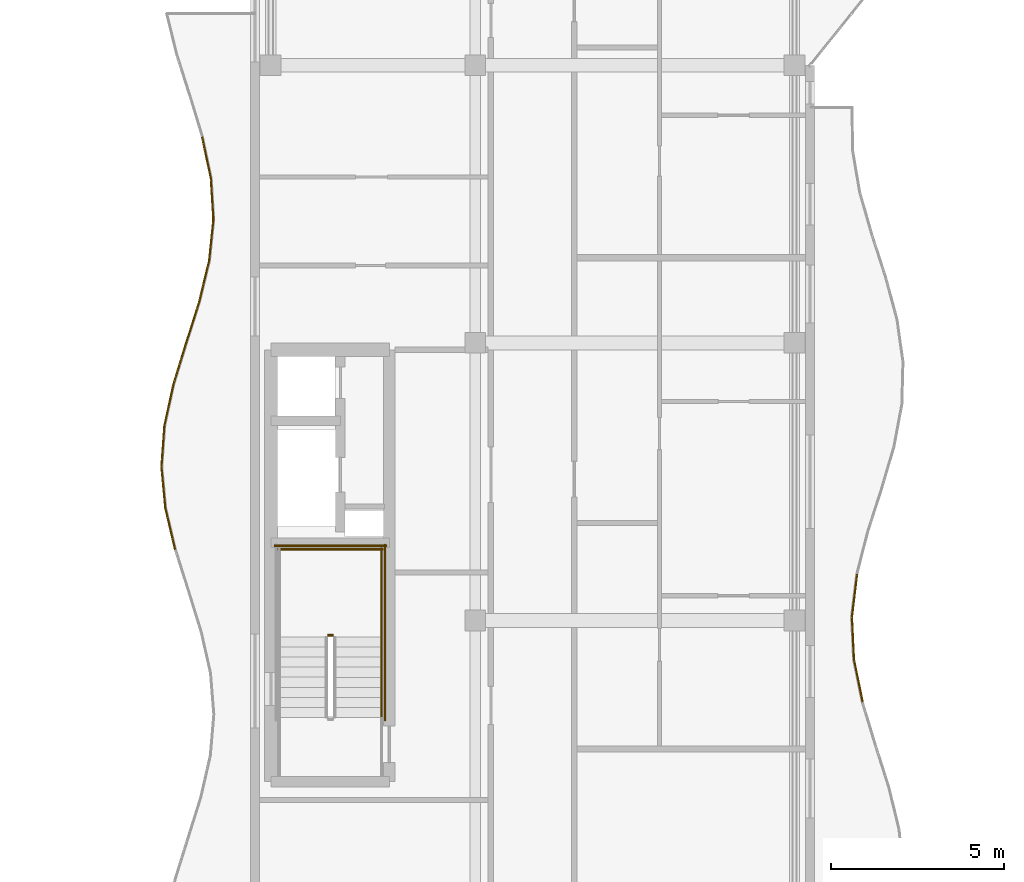
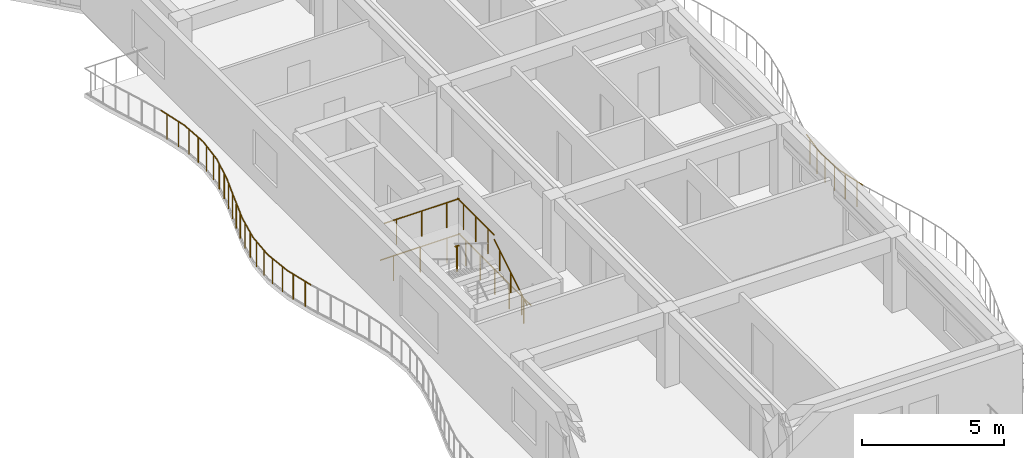
# One storey, part 52 of 72: 19 railings.
"""IFC4 building model written with IfcOpenShell, lengths in metres."""

from ifc_helpers import new_model, si_unit, direction, frame, origin, origin_2d, place, context, subcontext, project, spatial, circle, extrude, material, type_object, element, save


model = new_model("IFC4")

# Units and contexts
model_context = context("Model", 3, precision=1e-05, world=origin(), true_north=direction((0.0, 1.0)))
body_context = subcontext(model_context, "Body", "Model", "MODEL_VIEW")
ifc_project = project(units=[si_unit("LENGTHUNIT", "METRE"), si_unit("AREAUNIT", "SQUARE_METRE"), si_unit("VOLUMEUNIT", "CUBIC_METRE"), si_unit("PLANEANGLEUNIT", "RADIAN"), si_unit("MASSUNIT", "GRAM", prefix="KILO")], contexts=[model_context])

# Site, building, storey
site_placement = place(None, origin())
site = spatial("IfcSite", under=ifc_project, at=site_placement, CompositionType="ELEMENT")
building_placement = place(site_placement, origin())
building = spatial("IfcBuilding", under=site, at=building_placement, Name="Keldmere Railside Commons", CompositionType="ELEMENT")
storey_placement = place(building_placement, frame((0.0, 0.0, 16.9599609375)))
storey = spatial("IfcBuildingStorey", under=building, at=storey_placement, Name="L05", CompositionType="ELEMENT", Elevation=16.9599609375)

# Railings
ifc_material = material(Name="Steel F-24 (S235)", Category="steel")
railing_type_1 = type_object("IfcRailingType", Name="Balcony & Terrace Steel Balustrade 1100", PredefinedType="BALUSTRADE", material=ifc_material)
railing_1_placement = place(storey_placement, frame((65.513916015625, 69.64990234375, 0.0)))
element("IfcRailing", 1, at=railing_1_placement, inside=storey, type_object=railing_type_1, Name="GR-1 GRD-L05-1352", PredefinedType="BALUSTRADE", context=body_context, shape_type="SweptSolid", body=[
    extrude(circle(Radius=0.02392578125, at=origin_2d()), frame((0.0, 0.0, 1.076171875), z_axis=(-0.199944709826, 0.979807181548, 0.0), x_axis=(-0.979807181548, -0.199944709826, 0.0)), (0.0, 0.0, 1.0), 1.250244140625),
    extrude(circle(Radius=0.02099609375, at=origin_2d()), frame((-0.0625, 0.30615234375, 0.0)), (0.0, 0.0, 1.0), 1.048095703125),
    extrude(circle(Radius=0.02099609375, at=origin_2d()), frame((-0.1875, 0.9189453125, 0.0)), (0.0, 0.0, 1.0), 1.048095703125),
])
railing_2_placement = place(storey_placement, frame((65.263916015625, 70.875, 0.0)))
element("IfcRailing", 2, at=railing_2_placement, inside=storey, type_object=railing_type_1, Name="GR-1 GRD-L05-1353", PredefinedType="BALUSTRADE", context=body_context, shape_type="SweptSolid", body=[
    extrude(circle(Radius=0.02392578125, at=origin_2d()), frame((0.0, 0.0, 1.076171875), z_axis=(-0.047773210443, 0.998858208338, 0.0), x_axis=(-0.998858208338, -0.047773210443, 0.0)), (0.0, 0.0, 1.0), 1.2265625),
    extrude(circle(Radius=0.02099609375, at=origin_2d()), frame((-0.0146484375, 0.30615234375, 0.0)), (0.0, 0.0, 1.0), 1.048095703125),
    extrude(circle(Radius=0.02099609375, at=origin_2d()), frame((-0.0439453125, 0.9189453125, 0.0)), (0.0, 0.0, 1.0), 1.048095703125),
])
railing_3_placement = place(storey_placement, frame((65.205322265625, 72.10009765625, 0.0)))
element("IfcRailing", 3, at=railing_3_placement, inside=storey, type_object=railing_type_1, Name="GR-1 GRD-L05-1354", PredefinedType="BALUSTRADE", context=body_context, shape_type="SweptSolid", body=[
    extrude(circle(Radius=0.02392578125, at=origin_2d()), frame((0.0, 0.0, 1.076171875), z_axis=(0.120697723158, 0.992689306694, 0.0), x_axis=(-0.992689306694, 0.120697723158, 0.0)), (0.0, 0.0, 1.0), 1.23388671875),
    extrude(circle(Radius=0.02099609375, at=origin_2d()), frame((0.037109375, 0.30615234375, 0.0)), (0.0, 0.0, 1.0), 1.048095703125),
    extrude(circle(Radius=0.02099609375, at=origin_2d()), frame((0.11181640625, 0.918701171875, 0.0)), (0.0, 0.0, 1.0), 1.048095703125),
])
railing_4_placement = place(storey_placement, frame((45.693115234375, 74.04443359375, 0.0)))
element("IfcRailing", 4, at=railing_4_placement, inside=storey, type_object=railing_type_1, Name="GR-1 GRD-L05-1382", PredefinedType="BALUSTRADE", context=body_context, shape_type="SweptSolid", body=[
    extrude(circle(Radius=0.02392578125, at=origin_2d()), frame((0.0, 0.0, 1.076171875), z_axis=(-0.22944034671, 0.973322725154, 0.0), x_axis=(-0.973322725154, -0.22944034671, 0.0)), (0.0, 0.0, 1.0), 1.221435546875),
    extrude(circle(Radius=0.02099609375, at=origin_2d()), frame((-0.070068359375, 0.29736328125, 0.0)), (0.0, 0.0, 1.0), 1.048095703125),
    extrude(circle(Radius=0.02099609375, at=origin_2d()), frame((-0.210205078125, 0.8916015625, 0.0)), (0.0, 0.0, 1.0), 1.048095703125),
])
railing_5_placement = place(storey_placement, frame((45.412841796875, 75.2333984375, 0.0)))
element("IfcRailing", 5, at=railing_5_placement, inside=storey, type_object=railing_type_1, Name="GR-1 GRD-L05-1383", PredefinedType="BALUSTRADE", context=body_context, shape_type="SweptSolid", body=[
    extrude(circle(Radius=0.02392578125, at=origin_2d()), frame((0.0, 0.0, 1.076171875), z_axis=(-0.094056430296, 0.995566867629, 0.0), x_axis=(-0.995566867629, -0.094056430296, 0.0)), (0.0, 0.0, 1.0), 1.194091796875),
    extrude(circle(Radius=0.02099609375, at=origin_2d()), frame((-0.028076171875, 0.297119140625, 0.0)), (0.0, 0.0, 1.0), 1.048095703125),
    extrude(circle(Radius=0.02099609375, at=origin_2d()), frame((-0.084228515625, 0.8916015625, 0.0)), (0.0, 0.0, 1.0), 1.048095703125),
])
railing_6_placement = place(storey_placement, frame((45.300537109375, 76.422119140625, 0.0)))
element("IfcRailing", 6, at=railing_6_placement, inside=storey, type_object=railing_type_1, Name="GR-1 GRD-L05-1384", PredefinedType="BALUSTRADE", context=body_context, shape_type="SweptSolid", body=[
    extrude(circle(Radius=0.02392578125, at=origin_2d()), frame((0.0, 0.0, 1.076171875), z_axis=(0.071072380455, 0.997471160855, 0.0), x_axis=(-0.997471160855, 0.071072380455, 0.0)), (0.0, 0.0, 1.0), 1.19189453125),
    extrude(circle(Radius=0.02099609375, at=origin_2d()), frame((0.021240234375, 0.29736328125, 0.0)), (0.0, 0.0, 1.0), 1.048095703125),
    extrude(circle(Radius=0.02099609375, at=origin_2d()), frame((0.0634765625, 0.8916015625, 0.0)), (0.0, 0.0, 1.0), 1.048095703125),
])
railing_7_placement = place(storey_placement, frame((45.38525390625, 77.611083984375, 0.0)))
element("IfcRailing", 7, at=railing_7_placement, inside=storey, type_object=railing_type_1, Name="GR-1 GRD-L05-1385", PredefinedType="BALUSTRADE", context=body_context, shape_type="SweptSolid", body=[
    extrude(circle(Radius=0.02392578125, at=origin_2d()), frame((0.0, 0.0, 1.076171875), z_axis=(0.213445599142, 0.976954950961, 0.0), x_axis=(-0.976954950961, 0.213445599142, 0.0)), (0.0, 0.0, 1.0), 1.217041015625),
    extrude(circle(Radius=0.02099609375, at=origin_2d()), frame((0.06494140625, 0.29736328125, 0.0)), (0.0, 0.0, 1.0), 1.048095703125),
    extrude(circle(Radius=0.02099609375, at=origin_2d()), frame((0.19482421875, 0.8916015625, 0.0)), (0.0, 0.0, 1.0), 1.048095703125),
])
railing_8_placement = place(storey_placement, frame((45.64501953125, 78.800048828125, 0.0)))
element("IfcRailing", 8, at=railing_8_placement, inside=storey, type_object=railing_type_1, Name="GR-1 GRD-L05-1386", PredefinedType="BALUSTRADE", context=body_context, shape_type="SweptSolid", body=[
    extrude(circle(Radius=0.02392578125, at=origin_2d()), frame((0.0, 0.0, 1.076171875), z_axis=(0.294361634882, 0.955694107918, 0.0), x_axis=(-0.955694107918, 0.294361634882, 0.0)), (0.0, 0.0, 1.0), 1.244140625),
    extrude(circle(Radius=0.02099609375, at=origin_2d()), frame((0.091552734375, 0.29736328125, 0.0)), (0.0, 0.0, 1.0), 1.048095703125),
    extrude(circle(Radius=0.02099609375, at=origin_2d()), frame((0.274658203125, 0.8916015625, 0.0)), (0.0, 0.0, 1.0), 1.048095703125),
])
railing_9_placement = place(storey_placement, frame((46.01123046875, 79.989013671875, 0.0)))
element("IfcRailing", 9, at=railing_9_placement, inside=storey, type_object=railing_type_1, Name="GR-1 GRD-L05-1387", PredefinedType="BALUSTRADE", context=body_context, shape_type="SweptSolid", body=[
    extrude(circle(Radius=0.02392578125, at=origin_2d()), frame((0.0, 0.0, 1.076171875), z_axis=(0.301918397375, 0.953333772257, 0.0), x_axis=(-0.953333772257, 0.301918397375, 0.0)), (0.0, 0.0, 1.0), 1.246826171875),
    extrude(circle(Radius=0.02099609375, at=origin_2d()), frame((0.09423828125, 0.297119140625, 0.0)), (0.0, 0.0, 1.0), 1.048095703125),
    extrude(circle(Radius=0.02099609375, at=origin_2d()), frame((0.2822265625, 0.8916015625, 0.0)), (0.0, 0.0, 1.0), 1.048095703125),
])
railing_10_placement = place(storey_placement, frame((46.3876953125, 81.177734375, 0.0)))
element("IfcRailing", 10, at=railing_10_placement, inside=storey, type_object=railing_type_1, Name="GR-1 GRD-L05-1388", PredefinedType="BALUSTRADE", context=body_context, shape_type="SweptSolid", body=[
    extrude(circle(Radius=0.02392578125, at=origin_2d()), frame((0.0, 0.0, 1.076171875), z_axis=(0.235108740991, 0.971969073536, 0.0), x_axis=(-0.971969073536, 0.235108740991, 0.0)), (0.0, 0.0, 1.0), 1.22314453125),
    extrude(circle(Radius=0.02099609375, at=origin_2d()), frame((0.07177734375, 0.29736328125, 0.0)), (0.0, 0.0, 1.0), 1.048095703125),
    extrude(circle(Radius=0.02099609375, at=origin_2d()), frame((0.2158203125, 0.8916015625, 0.0)), (0.0, 0.0, 1.0), 1.048095703125),
])
railing_11_placement = place(storey_placement, frame((46.67529296875, 82.36669921875, 0.0)))
element("IfcRailing", 11, at=railing_11_placement, inside=storey, type_object=railing_type_1, Name="GR-1 GRD-L05-1389", PredefinedType="BALUSTRADE", context=body_context, shape_type="SweptSolid", body=[
    extrude(circle(Radius=0.02392578125, at=origin_2d()), frame((0.0, 0.0, 1.076171875), z_axis=(0.102940961749, 0.994687467697, 0.0), x_axis=(-0.994687467697, 0.102940961749, 0.0)), (0.0, 0.0, 1.0), 1.1953125),
    extrude(circle(Radius=0.02099609375, at=origin_2d()), frame((0.03076171875, 0.29736328125, 0.0)), (0.0, 0.0, 1.0), 1.048095703125),
    extrude(circle(Radius=0.02099609375, at=origin_2d()), frame((0.09228515625, 0.8916015625, 0.0)), (0.0, 0.0, 1.0), 1.048095703125),
])
railing_12_placement = place(storey_placement, frame((46.79833984375, 83.5556640625, 0.0)))
element("IfcRailing", 12, at=railing_12_placement, inside=storey, type_object=railing_type_1, Name="GR-1 GRD-L05-1390", PredefinedType="BALUSTRADE", context=body_context, shape_type="SweptSolid", body=[
    extrude(circle(Radius=0.02392578125, at=origin_2d()), frame((0.0, 0.0, 1.076171875), z_axis=(-0.06190609109, 0.99808197854, 0.0), x_axis=(-0.99808197854, -0.06190609109, 0.0)), (0.0, 0.0, 1.0), 1.19091796875),
    extrude(circle(Radius=0.02099609375, at=origin_2d()), frame((-0.0185546875, 0.297119140625, 0.0)), (0.0, 0.0, 1.0), 1.048095703125),
    extrude(circle(Radius=0.02099609375, at=origin_2d()), frame((-0.05517578125, 0.8916015625, 0.0)), (0.0, 0.0, 1.0), 1.048095703125),
])
railing_13_placement = place(storey_placement, frame((46.724609375, 84.744384765625, 0.0)))
element("IfcRailing", 13, at=railing_13_placement, inside=storey, type_object=railing_type_1, Name="GR-1 GRD-L05-1391", PredefinedType="BALUSTRADE", context=body_context, shape_type="SweptSolid", body=[
    extrude(circle(Radius=0.02392578125, at=origin_2d()), frame((0.0, 0.0, 1.076171875), z_axis=(-0.206921612036, 0.978357524871, 0.0), x_axis=(-0.978357524871, -0.206921612036, 0.0)), (0.0, 0.0, 1.0), 1.21533203125),
    extrude(circle(Radius=0.02099609375, at=origin_2d()), frame((-0.06298828125, 0.29736328125, 0.0)), (0.0, 0.0, 1.0), 1.048095703125),
    extrude(circle(Radius=0.02099609375, at=origin_2d()), frame((-0.1884765625, 0.8916015625, 0.0)), (0.0, 0.0, 1.0), 1.048095703125),
])
railing_type_2 = type_object("IfcRailingType", Name="Stair Well Steel Guardrail 1100", PredefinedType="BALUSTRADE", material=ifc_material)
railing_14_placement = place(storey_placement, frame((50.25, 71.570068359375, 1.60009765625)))
element("IfcRailing", 14, at=railing_14_placement, inside=storey, type_object=railing_type_2, Name="L05 ST-C1 stair guard 2", PredefinedType="BALUSTRADE", context=body_context, shape_type="SweptSolid", body=[
    extrude(circle(Radius=0.02392578125, at=origin_2d()), frame((0.0, 0.0, 1.076171875), z_axis=(-1.0, 0.0, 0.0), x_axis=(0.0, -1.0, 0.0)), (0.0, 0.0, 1.0), 0.14990234375),
    extrude(circle(Radius=0.02099609375, at=origin_2d()), frame((-0.074951171875, 0.0, 0.0)), (0.0, 0.0, 1.0), 1.048095703125),
])
railing_15_placement = place(storey_placement, frame((51.64990234375, 71.52001953125, 1.60009765625)))
element("IfcRailing", 15, at=railing_15_placement, inside=storey, type_object=railing_type_2, Name="L05 ST-C1 stair guard 3", PredefinedType="BALUSTRADE", context=body_context, shape_type="SweptSolid", body=[
    extrude(circle(Radius=0.02392578125, at=origin_2d()), frame((0.0, 0.0, 1.076171875), z_axis=(0.0, 1.0, 0.0), x_axis=(-1.0, 0.0, 0.0)), (0.0, 0.0, 1.0), 2.580078125),
    extrude(circle(Radius=0.02099609375, at=origin_2d()), frame((0.0, 0.429931640625, 0.0)), (0.0, 0.0, 1.0), 1.048095703125),
    extrude(circle(Radius=0.02099609375, at=origin_2d()), frame((0.0, 1.2900390625, 0.0)), (0.0, 0.0, 1.0), 1.048095703125),
    extrude(circle(Radius=0.02099609375, at=origin_2d()), frame((0.0, 2.150146484375, 0.0)), (0.0, 0.0, 1.0), 1.048095703125),
])
railing_16_placement = place(storey_placement, frame((51.699951171875, 74.050048828125, 1.60009765625)))
element("IfcRailing", 16, at=railing_16_placement, inside=storey, type_object=railing_type_2, Name="L05 ST-C1 stair guard 5", PredefinedType="BALUSTRADE", context=body_context, shape_type="SweptSolid", body=[
    extrude(circle(Radius=0.02392578125, at=origin_2d()), frame((0.0, 0.0, 1.076171875), z_axis=(-1.0, 0.0, 0.0), x_axis=(0.0, -1.0, 0.0)), (0.0, 0.0, 1.0), 3.050048828125),
    extrude(circle(Radius=0.02099609375, at=origin_2d()), frame((-0.50830078125, 0.0, 0.0)), (0.0, 0.0, 1.0), 1.048095703125),
    extrude(circle(Radius=0.02099609375, at=origin_2d()), frame((-1.52490234375, 0.0, 0.0)), (0.0, 0.0, 1.0), 1.048095703125),
    extrude(circle(Radius=0.02099609375, at=origin_2d()), frame((-2.541748046875, 0.0, 0.0)), (0.0, 0.0, 1.0), 1.048095703125),
])
railing_17_placement = place(storey_placement, frame((51.75, 69.10009765625, 0.0)))
element("IfcRailing", 17, at=railing_17_placement, inside=storey, type_object=railing_type_2, Name="L05 ST-C1 stair guard 10", PredefinedType="BALUSTRADE", context=body_context, shape_type="SweptSolid", body=[
    extrude(circle(Radius=0.02392578125, at=origin_2d()), frame((0.0, 0.0, 1.076171875), z_axis=(0.0, 1.0, 0.0), x_axis=(-1.0, 0.0, 0.0)), (0.0, 0.0, 1.0), 5.099853515625),
    extrude(circle(Radius=0.02099609375, at=origin_2d()), frame((0.0, 0.510009765625, 0.0)), (0.0, 0.0, 1.0), 1.048095703125),
    extrude(circle(Radius=0.02099609375, at=origin_2d()), frame((0.0, 1.530029296875, 0.0)), (0.0, 0.0, 1.0), 1.048095703125),
    extrude(circle(Radius=0.02099609375, at=origin_2d()), frame((0.0, 2.5498046875, 0.0)), (0.0, 0.0, 1.0), 1.048095703125),
    extrude(circle(Radius=0.02099609375, at=origin_2d()), frame((0.0, 3.56982421875, 0.0)), (0.0, 0.0, 1.0), 1.048095703125),
    extrude(circle(Radius=0.02099609375, at=origin_2d()), frame((0.0, 4.58984375, 0.0)), (0.0, 0.0, 1.0), 1.048095703125),
])
railing_18_placement = place(storey_placement, frame((51.800048828125, 74.14990234375, 0.0)))
element("IfcRailing", 18, at=railing_18_placement, inside=storey, type_object=railing_type_2, Name="L05 ST-C1 stair guard 12", PredefinedType="BALUSTRADE", context=body_context, shape_type="SweptSolid", body=[
    extrude(circle(Radius=0.02392578125, at=origin_2d()), frame((0.0, 0.0, 1.076171875), z_axis=(-1.0, 0.0, 0.0), x_axis=(0.0, -1.0, 0.0)), (0.0, 0.0, 1.0), 3.25),
    extrude(circle(Radius=0.02099609375, at=origin_2d()), frame((-0.541748046875, 0.0, 0.0)), (0.0, 0.0, 1.0), 1.048095703125),
    extrude(circle(Radius=0.02099609375, at=origin_2d()), frame((-1.625, 0.0, 0.0)), (0.0, 0.0, 1.0), 1.048095703125),
    extrude(circle(Radius=0.02099609375, at=origin_2d()), frame((-2.708251953125, 0.0, 0.0)), (0.0, 0.0, 1.0), 1.048095703125),
])
railing_type_3 = type_object("IfcRailingType", Name="Wall-Mounted Tubular Steel Handrail 900", PredefinedType="HANDRAIL", material=ifc_material)
railing_19_placement = place(storey_placement, frame((51.64990234375, 69.199951171875, 0.177734375)))
element("IfcRailing", 19, at=railing_19_placement, inside=storey, type_object=railing_type_3, Name="L05 ST-C1 stair handrail 1", PredefinedType="HANDRAIL", context=body_context, shape_type="SweptSolid", body=[
    extrude(circle(Radius=0.02392578125, at=origin_2d()), frame((0.0, 0.0, 0.8759765625), z_axis=(0.0, 0.852538067394, 0.522665135287), x_axis=(-1.0, 0.0, 0.0)), (0.0, 0.0, 1.0), 2.721435546875),
    extrude(circle(Radius=0.02099609375, at=origin_2d()), frame((0.0, 0.38671875, 0.237060546875)), (0.0, 0.0, 1.0), 0.847900390625),
    extrude(circle(Radius=0.02099609375, at=origin_2d()), frame((0.0, 1.16015625, 0.711181640625)), (0.0, 0.0, 1.0), 0.847900390625),
    extrude(circle(Radius=0.02099609375, at=origin_2d()), frame((0.0, 1.933349609375, 1.185302734375)), (0.0, 0.0, 1.0), 0.847900390625),
])

save(model, "model.ifc")
